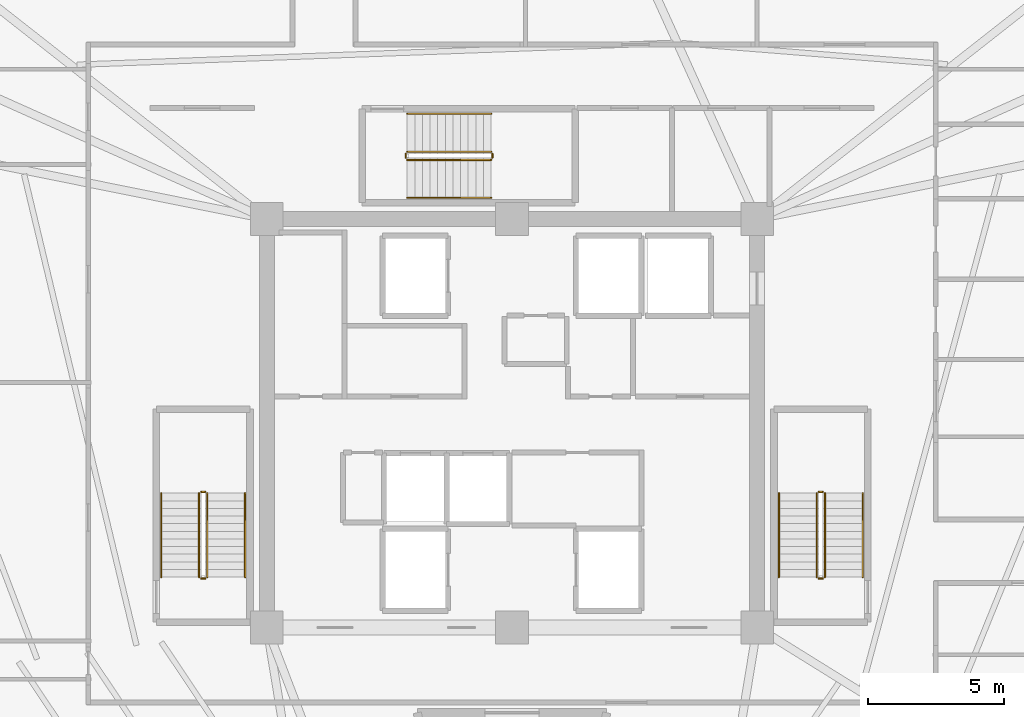
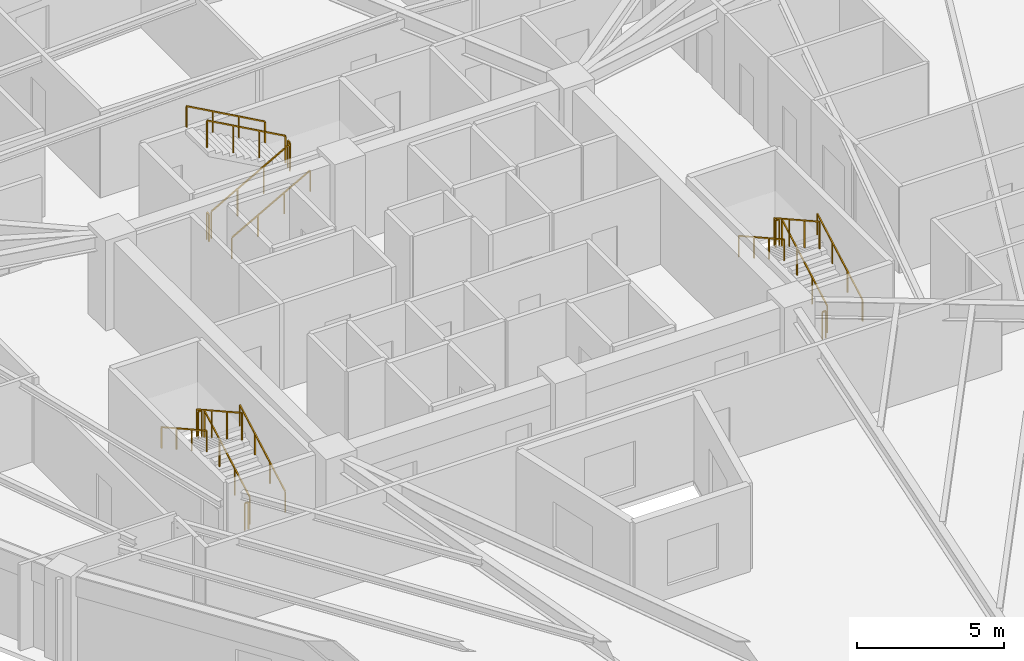
# One storey, part 8 of 8: 18 railings.
"""IFC4 building model written with IfcOpenShell, lengths in metres."""

from ifc_helpers import new_model, si_unit, direction, frame, origin, origin_2d, place, context, subcontext, project, spatial, rectangle, extrude, material, type_object, element, save


model = new_model("IFC4")

# Units and contexts
model_context = context("Model", 3, precision=1e-05, world=origin(), true_north=direction((0.0, 1.0)))
body_context = subcontext(model_context, "Body", "Model", "MODEL_VIEW")
ifc_project = project(units=[si_unit("LENGTHUNIT", "METRE"), si_unit("AREAUNIT", "SQUARE_METRE"), si_unit("VOLUMEUNIT", "CUBIC_METRE"), si_unit("PLANEANGLEUNIT", "RADIAN"), si_unit("MASSUNIT", "GRAM", prefix="KILO")], contexts=[model_context])

# Site, building, storey
site_placement = place(None, origin())
site = spatial("IfcSite", under=ifc_project, at=site_placement, CompositionType="ELEMENT")
building_placement = place(site_placement, origin())
building = spatial("IfcBuilding", under=site, at=building_placement, Name="Liaohun Quay Tower", CompositionType="ELEMENT")
storey_placement = place(building_placement, frame((0.0, 0.0, 301.5)))
storey = spatial("IfcBuildingStorey", under=building, at=storey_placement, Name="L78", CompositionType="ELEMENT", Elevation=301.5)

# Railings
ifc_material_1 = material(Name="Painted tubular steel", Category="steel")
railing_type_1 = type_object("IfcRailingType", Name="RLG-GUARD-STR", PredefinedType="GUARDRAIL", material=ifc_material_1)
railing_1_placement = place(storey_placement, frame((48.81005859375, 48.35009765625, 0.15625)))
element("IfcRailing", 1, at=railing_1_placement, inside=storey, type_object=railing_type_1, Name="L78 ST-1 stair guard 1", PredefinedType="GUARDRAIL", context=body_context, shape_type="SweptSolid", body=[
    extrude(rectangle(XDim=0.048095703125, YDim=0.048095703125, at=origin_2d()), frame((0.0, 0.0, 1.1259765625), z_axis=(0.0, 0.873225103656, 0.487317061414), x_axis=(-1.0, 0.0, 0.0)), (0.0, 0.0, 1.0), 3.52685546875),
    extrude(rectangle(XDim=0.0419921875, YDim=0.0419921875, at=origin_2d()), origin(), (0.0, 0.0, 1.0), 1.101806640625),
    extrude(rectangle(XDim=0.0419921875, YDim=0.0419921875, at=origin_2d()), frame((0.0, 1.026611328125, 0.572998046875)), (0.0, 0.0, 1.0), 1.101806640625),
    extrude(rectangle(XDim=0.0419921875, YDim=0.0419921875, at=origin_2d()), frame((0.0, 2.05322265625, 1.145751953125)), (0.0, 0.0, 1.0), 1.101806640625),
    extrude(rectangle(XDim=0.0419921875, YDim=0.0419921875, at=origin_2d()), frame((0.0, 3.079833984375, 1.71875)), (0.0, 0.0, 1.0), 1.101806640625),
])
railing_2_placement = place(storey_placement, frame((48.72998046875, 51.47998046875, 1.875)))
element("IfcRailing", 2, at=railing_2_placement, inside=storey, type_object=railing_type_1, Name="L78 ST-1 stair guard 2", PredefinedType="GUARDRAIL", context=body_context, shape_type="SweptSolid", body=[
    extrude(rectangle(XDim=0.048095703125, YDim=0.048095703125, at=origin_2d()), frame((0.0, 0.0, 1.1259765625), z_axis=(-1.0, 0.0, 0.0), x_axis=(0.0, -1.0, 0.0)), (0.0, 0.0, 1.0), 0.139892578125),
    extrude(rectangle(XDim=0.0419921875, YDim=0.0419921875, at=origin_2d()), origin(), (0.0, 0.0, 1.0), 1.101806640625),
    extrude(rectangle(XDim=0.0419921875, YDim=0.0419921875, at=origin_2d()), frame((-0.139892578125, 0.0, 0.0)), (0.0, 0.0, 1.0), 1.101806640625),
])
railing_3_placement = place(storey_placement, frame((48.510009765625, 51.429931640625, 2.03125)))
element("IfcRailing", 3, at=railing_3_placement, inside=storey, type_object=railing_type_1, Name="L78 ST-1 stair guard 3", PredefinedType="GUARDRAIL", context=body_context, shape_type="SweptSolid", body=[
    extrude(rectangle(XDim=0.048095703125, YDim=0.048095703125, at=origin_2d()), frame((0.0, 0.0, 1.1259765625), z_axis=(0.0, -0.873225103656, 0.487317061414), x_axis=(1.0, 0.0, 0.0)), (0.0, 0.0, 1.0), 3.52685546875),
    extrude(rectangle(XDim=0.0419921875, YDim=0.0419921875, at=origin_2d()), origin(), (0.0, 0.0, 1.0), 1.101806640625),
    extrude(rectangle(XDim=0.0419921875, YDim=0.0419921875, at=origin_2d()), frame((0.0, -1.026611328125, 0.572998046875)), (0.0, 0.0, 1.0), 1.101806640625),
    extrude(rectangle(XDim=0.0419921875, YDim=0.0419921875, at=origin_2d()), frame((0.0, -2.05322265625, 1.145751953125)), (0.0, 0.0, 1.0), 1.101806640625),
    extrude(rectangle(XDim=0.0419921875, YDim=0.0419921875, at=origin_2d()), frame((0.0, -3.079833984375, 1.71875)), (0.0, 0.0, 1.0), 1.101806640625),
])
railing_4_placement = place(storey_placement, frame((48.72998046875, 48.300048828125, 0.0)))
element("IfcRailing", 4, at=railing_4_placement, inside=storey, type_object=railing_type_1, Name="L78 ST-1 stair guard 4", PredefinedType="GUARDRAIL", context=body_context, shape_type="SweptSolid", body=[
    extrude(rectangle(XDim=0.048095703125, YDim=0.048095703125, at=origin_2d()), frame((0.0, 0.0, 1.1259765625), z_axis=(-1.0, 0.0, 0.0), x_axis=(0.0, -1.0, 0.0)), (0.0, 0.0, 1.0), 0.139892578125),
    extrude(rectangle(XDim=0.0419921875, YDim=0.0419921875, at=origin_2d()), origin(), (0.0, 0.0, 1.0), 1.101806640625),
    extrude(rectangle(XDim=0.0419921875, YDim=0.0419921875, at=origin_2d()), frame((-0.139892578125, 0.0, 0.0)), (0.0, 0.0, 1.0), 1.101806640625),
])
railing_5_placement = place(storey_placement, frame((71.489990234375, 48.35009765625, 0.15625)))
element("IfcRailing", 5, at=railing_5_placement, inside=storey, type_object=railing_type_1, Name="L78 ST-2 stair guard 1", PredefinedType="GUARDRAIL", context=body_context, shape_type="SweptSolid", body=[
    extrude(rectangle(XDim=0.048095703125, YDim=0.048095703125, at=origin_2d()), frame((0.0, 0.0, 1.1259765625), z_axis=(0.0, 0.873225103656, 0.487317061414), x_axis=(-1.0, 0.0, 0.0)), (0.0, 0.0, 1.0), 3.52685546875),
    extrude(rectangle(XDim=0.0419921875, YDim=0.0419921875, at=origin_2d()), origin(), (0.0, 0.0, 1.0), 1.101806640625),
    extrude(rectangle(XDim=0.0419921875, YDim=0.0419921875, at=origin_2d()), frame((0.0, 1.026611328125, 0.572998046875)), (0.0, 0.0, 1.0), 1.101806640625),
    extrude(rectangle(XDim=0.0419921875, YDim=0.0419921875, at=origin_2d()), frame((0.0, 2.05322265625, 1.145751953125)), (0.0, 0.0, 1.0), 1.101806640625),
    extrude(rectangle(XDim=0.0419921875, YDim=0.0419921875, at=origin_2d()), frame((0.0, 3.079833984375, 1.71875)), (0.0, 0.0, 1.0), 1.101806640625),
])
railing_6_placement = place(storey_placement, frame((71.409912109375, 51.47998046875, 1.875)))
element("IfcRailing", 6, at=railing_6_placement, inside=storey, type_object=railing_type_1, Name="L78 ST-2 stair guard 2", PredefinedType="GUARDRAIL", context=body_context, shape_type="SweptSolid", body=[
    extrude(rectangle(XDim=0.048095703125, YDim=0.048095703125, at=origin_2d()), frame((0.0, 0.0, 1.1259765625), z_axis=(-1.0, 0.0, 0.0), x_axis=(0.0, -1.0, 0.0)), (0.0, 0.0, 1.0), 0.139892578125),
    extrude(rectangle(XDim=0.0419921875, YDim=0.0419921875, at=origin_2d()), origin(), (0.0, 0.0, 1.0), 1.101806640625),
    extrude(rectangle(XDim=0.0419921875, YDim=0.0419921875, at=origin_2d()), frame((-0.139892578125, 0.0, 0.0)), (0.0, 0.0, 1.0), 1.101806640625),
])
railing_7_placement = place(storey_placement, frame((71.18994140625, 51.429931640625, 2.03125)))
element("IfcRailing", 7, at=railing_7_placement, inside=storey, type_object=railing_type_1, Name="L78 ST-2 stair guard 3", PredefinedType="GUARDRAIL", context=body_context, shape_type="SweptSolid", body=[
    extrude(rectangle(XDim=0.048095703125, YDim=0.048095703125, at=origin_2d()), frame((0.0, 0.0, 1.1259765625), z_axis=(0.0, -0.873225103656, 0.487317061414), x_axis=(1.0, 0.0, 0.0)), (0.0, 0.0, 1.0), 3.52685546875),
    extrude(rectangle(XDim=0.0419921875, YDim=0.0419921875, at=origin_2d()), origin(), (0.0, 0.0, 1.0), 1.101806640625),
    extrude(rectangle(XDim=0.0419921875, YDim=0.0419921875, at=origin_2d()), frame((0.0, -1.026611328125, 0.572998046875)), (0.0, 0.0, 1.0), 1.101806640625),
    extrude(rectangle(XDim=0.0419921875, YDim=0.0419921875, at=origin_2d()), frame((0.0, -2.05322265625, 1.145751953125)), (0.0, 0.0, 1.0), 1.101806640625),
    extrude(rectangle(XDim=0.0419921875, YDim=0.0419921875, at=origin_2d()), frame((0.0, -3.079833984375, 1.71875)), (0.0, 0.0, 1.0), 1.101806640625),
])
railing_8_placement = place(storey_placement, frame((71.409912109375, 48.300048828125, 0.0)))
element("IfcRailing", 8, at=railing_8_placement, inside=storey, type_object=railing_type_1, Name="L78 ST-2 stair guard 4", PredefinedType="GUARDRAIL", context=body_context, shape_type="SweptSolid", body=[
    extrude(rectangle(XDim=0.048095703125, YDim=0.048095703125, at=origin_2d()), frame((0.0, 0.0, 1.1259765625), z_axis=(-1.0, 0.0, 0.0), x_axis=(0.0, -1.0, 0.0)), (0.0, 0.0, 1.0), 0.139892578125),
    extrude(rectangle(XDim=0.0419921875, YDim=0.0419921875, at=origin_2d()), origin(), (0.0, 0.0, 1.0), 1.101806640625),
    extrude(rectangle(XDim=0.0419921875, YDim=0.0419921875, at=origin_2d()), frame((-0.139892578125, 0.0, 0.0)), (0.0, 0.0, 1.0), 1.101806640625),
])
railing_9_placement = place(storey_placement, frame((56.14990234375, 63.669921875, 0.15625)))
element("IfcRailing", 9, at=railing_9_placement, inside=storey, type_object=railing_type_1, Name="L78 ST-3 stair guard 1", PredefinedType="GUARDRAIL", context=body_context, shape_type="SweptSolid", body=[
    extrude(rectangle(XDim=0.048095703125, YDim=0.048095703125, at=origin_2d()), frame((0.0, 0.0, 1.1259765625), z_axis=(0.873241540666, 0.0, 0.487287606713), x_axis=(0.0, 1.0, 0.0)), (0.0, 0.0, 1.0), 3.527099609375),
    extrude(rectangle(XDim=0.0419921875, YDim=0.0419921875, at=origin_2d()), origin(), (0.0, 0.0, 1.0), 1.101806640625),
    extrude(rectangle(XDim=0.0419921875, YDim=0.0419921875, at=origin_2d()), frame((1.026611328125, 0.0, 0.572998046875)), (0.0, 0.0, 1.0), 1.101806640625),
    extrude(rectangle(XDim=0.0419921875, YDim=0.0419921875, at=origin_2d()), frame((2.053466796875, 0.0, 1.145751953125)), (0.0, 0.0, 1.0), 1.101806640625),
    extrude(rectangle(XDim=0.0419921875, YDim=0.0419921875, at=origin_2d()), frame((3.080078125, 0.0, 1.71875)), (0.0, 0.0, 1.0), 1.101806640625),
])
railing_10_placement = place(storey_placement, frame((59.280029296875, 63.75, 1.875)))
element("IfcRailing", 10, at=railing_10_placement, inside=storey, type_object=railing_type_1, Name="L78 ST-3 stair guard 2", PredefinedType="GUARDRAIL", context=body_context, shape_type="SweptSolid", body=[
    extrude(rectangle(XDim=0.048095703125, YDim=0.048095703125, at=origin_2d()), frame((0.0, 0.0, 1.1259765625), z_axis=(0.0, 1.0, 0.0), x_axis=(-1.0, 0.0, 0.0)), (0.0, 0.0, 1.0), 0.139892578125),
    extrude(rectangle(XDim=0.0419921875, YDim=0.0419921875, at=origin_2d()), origin(), (0.0, 0.0, 1.0), 1.101806640625),
    extrude(rectangle(XDim=0.0419921875, YDim=0.0419921875, at=origin_2d()), frame((0.0, 0.139892578125, 0.0)), (0.0, 0.0, 1.0), 1.101806640625),
])
railing_11_placement = place(storey_placement, frame((59.22998046875, 63.969970703125, 2.03125)))
element("IfcRailing", 11, at=railing_11_placement, inside=storey, type_object=railing_type_1, Name="L78 ST-3 stair guard 3", PredefinedType="GUARDRAIL", context=body_context, shape_type="SweptSolid", body=[
    extrude(rectangle(XDim=0.048095703125, YDim=0.048095703125, at=origin_2d()), frame((0.0, 0.0, 1.1259765625), z_axis=(-0.873241540666, 0.0, 0.487287606713), x_axis=(0.0, -1.0, 0.0)), (0.0, 0.0, 1.0), 3.527099609375),
    extrude(rectangle(XDim=0.0419921875, YDim=0.0419921875, at=origin_2d()), origin(), (0.0, 0.0, 1.0), 1.101806640625),
    extrude(rectangle(XDim=0.0419921875, YDim=0.0419921875, at=origin_2d()), frame((-1.026611328125, 0.0, 0.572998046875)), (0.0, 0.0, 1.0), 1.101806640625),
    extrude(rectangle(XDim=0.0419921875, YDim=0.0419921875, at=origin_2d()), frame((-2.053466796875, 0.0, 1.145751953125)), (0.0, 0.0, 1.0), 1.101806640625),
    extrude(rectangle(XDim=0.0419921875, YDim=0.0419921875, at=origin_2d()), frame((-3.080078125, 0.0, 1.71875)), (0.0, 0.0, 1.0), 1.101806640625),
])
railing_12_placement = place(storey_placement, frame((56.10009765625, 63.75, 0.0)))
element("IfcRailing", 12, at=railing_12_placement, inside=storey, type_object=railing_type_1, Name="L78 ST-3 stair guard 4", PredefinedType="GUARDRAIL", context=body_context, shape_type="SweptSolid", body=[
    extrude(rectangle(XDim=0.048095703125, YDim=0.048095703125, at=origin_2d()), frame((0.0, 0.0, 1.1259765625), z_axis=(0.0, 1.0, 0.0), x_axis=(-1.0, 0.0, 0.0)), (0.0, 0.0, 1.0), 0.139892578125),
    extrude(rectangle(XDim=0.0419921875, YDim=0.0419921875, at=origin_2d()), origin(), (0.0, 0.0, 1.0), 1.101806640625),
    extrude(rectangle(XDim=0.0419921875, YDim=0.0419921875, at=origin_2d()), frame((0.0, 0.139892578125, 0.0)), (0.0, 0.0, 1.0), 1.101806640625),
])
ifc_material_2 = material(Name="Brushed stainless steel", Category="steel")
railing_type_2 = type_object("IfcRailingType", Name="RLG-HND-STR", PredefinedType="HANDRAIL", material=ifc_material_2)
railing_13_placement = place(storey_placement, frame((50.199951171875, 48.35009765625, 0.15625)))
element("IfcRailing", 13, at=railing_13_placement, inside=storey, type_object=railing_type_2, Name="L78 ST-1 stair handrail 1", PredefinedType="HANDRAIL", context=body_context, shape_type="SweptSolid", body=[
    extrude(rectangle(XDim=0.048095703125, YDim=0.048095703125, at=origin_2d()), frame((0.0, 0.0, 0.8759765625), z_axis=(0.0, 0.873225103656, 0.487317061414), x_axis=(-1.0, 0.0, 0.0)), (0.0, 0.0, 1.0), 3.52685546875),
    extrude(rectangle(XDim=0.0419921875, YDim=0.0419921875, at=origin_2d()), origin(), (0.0, 0.0, 1.0), 0.851806640625),
    extrude(rectangle(XDim=0.0419921875, YDim=0.0419921875, at=origin_2d()), frame((0.0, 1.026611328125, 0.572998046875)), (0.0, 0.0, 1.0), 0.851806640625),
    extrude(rectangle(XDim=0.0419921875, YDim=0.0419921875, at=origin_2d()), frame((0.0, 2.05322265625, 1.145751953125)), (0.0, 0.0, 1.0), 0.851806640625),
    extrude(rectangle(XDim=0.0419921875, YDim=0.0419921875, at=origin_2d()), frame((0.0, 3.079833984375, 1.71875)), (0.0, 0.0, 1.0), 0.851806640625),
])
railing_14_placement = place(storey_placement, frame((47.1201171875, 51.429931640625, 2.03125)))
element("IfcRailing", 14, at=railing_14_placement, inside=storey, type_object=railing_type_2, Name="L78 ST-1 stair handrail 2", PredefinedType="HANDRAIL", context=body_context, shape_type="SweptSolid", body=[
    extrude(rectangle(XDim=0.048095703125, YDim=0.048095703125, at=origin_2d()), frame((0.0, 0.0, 0.8759765625), z_axis=(0.0, -0.873225103656, 0.487317061414), x_axis=(1.0, 0.0, 0.0)), (0.0, 0.0, 1.0), 3.52685546875),
    extrude(rectangle(XDim=0.0419921875, YDim=0.0419921875, at=origin_2d()), origin(), (0.0, 0.0, 1.0), 0.851806640625),
    extrude(rectangle(XDim=0.0419921875, YDim=0.0419921875, at=origin_2d()), frame((0.0, -1.026611328125, 0.572998046875)), (0.0, 0.0, 1.0), 0.851806640625),
    extrude(rectangle(XDim=0.0419921875, YDim=0.0419921875, at=origin_2d()), frame((0.0, -2.05322265625, 1.145751953125)), (0.0, 0.0, 1.0), 0.851806640625),
    extrude(rectangle(XDim=0.0419921875, YDim=0.0419921875, at=origin_2d()), frame((0.0, -3.079833984375, 1.71875)), (0.0, 0.0, 1.0), 0.851806640625),
])
railing_15_placement = place(storey_placement, frame((72.8798828125, 48.35009765625, 0.15625)))
element("IfcRailing", 15, at=railing_15_placement, inside=storey, type_object=railing_type_2, Name="L78 ST-2 stair handrail 1", PredefinedType="HANDRAIL", context=body_context, shape_type="SweptSolid", body=[
    extrude(rectangle(XDim=0.048095703125, YDim=0.048095703125, at=origin_2d()), frame((0.0, 0.0, 0.8759765625), z_axis=(0.0, 0.873225103656, 0.487317061414), x_axis=(-1.0, 0.0, 0.0)), (0.0, 0.0, 1.0), 3.52685546875),
    extrude(rectangle(XDim=0.0419921875, YDim=0.0419921875, at=origin_2d()), origin(), (0.0, 0.0, 1.0), 0.851806640625),
    extrude(rectangle(XDim=0.0419921875, YDim=0.0419921875, at=origin_2d()), frame((0.0, 1.026611328125, 0.572998046875)), (0.0, 0.0, 1.0), 0.851806640625),
    extrude(rectangle(XDim=0.0419921875, YDim=0.0419921875, at=origin_2d()), frame((0.0, 2.05322265625, 1.145751953125)), (0.0, 0.0, 1.0), 0.851806640625),
    extrude(rectangle(XDim=0.0419921875, YDim=0.0419921875, at=origin_2d()), frame((0.0, 3.079833984375, 1.71875)), (0.0, 0.0, 1.0), 0.851806640625),
])
railing_16_placement = place(storey_placement, frame((69.800048828125, 51.429931640625, 2.03125)))
element("IfcRailing", 16, at=railing_16_placement, inside=storey, type_object=railing_type_2, Name="L78 ST-2 stair handrail 2", PredefinedType="HANDRAIL", context=body_context, shape_type="SweptSolid", body=[
    extrude(rectangle(XDim=0.048095703125, YDim=0.048095703125, at=origin_2d()), frame((0.0, 0.0, 0.8759765625), z_axis=(0.0, -0.873225103656, 0.487317061414), x_axis=(1.0, 0.0, 0.0)), (0.0, 0.0, 1.0), 3.52685546875),
    extrude(rectangle(XDim=0.0419921875, YDim=0.0419921875, at=origin_2d()), origin(), (0.0, 0.0, 1.0), 0.851806640625),
    extrude(rectangle(XDim=0.0419921875, YDim=0.0419921875, at=origin_2d()), frame((0.0, -1.026611328125, 0.572998046875)), (0.0, 0.0, 1.0), 0.851806640625),
    extrude(rectangle(XDim=0.0419921875, YDim=0.0419921875, at=origin_2d()), frame((0.0, -2.05322265625, 1.145751953125)), (0.0, 0.0, 1.0), 0.851806640625),
    extrude(rectangle(XDim=0.0419921875, YDim=0.0419921875, at=origin_2d()), frame((0.0, -3.079833984375, 1.71875)), (0.0, 0.0, 1.0), 0.851806640625),
])
railing_17_placement = place(storey_placement, frame((56.14990234375, 62.280029296875, 0.15625)))
element("IfcRailing", 17, at=railing_17_placement, inside=storey, type_object=railing_type_2, Name="L78 ST-3 stair handrail 1", PredefinedType="HANDRAIL", context=body_context, shape_type="SweptSolid", body=[
    extrude(rectangle(XDim=0.048095703125, YDim=0.048095703125, at=origin_2d()), frame((0.0, 0.0, 0.8759765625), z_axis=(0.873241540666, 0.0, 0.487287606713), x_axis=(0.0, 1.0, 0.0)), (0.0, 0.0, 1.0), 3.527099609375),
    extrude(rectangle(XDim=0.0419921875, YDim=0.0419921875, at=origin_2d()), origin(), (0.0, 0.0, 1.0), 0.851806640625),
    extrude(rectangle(XDim=0.0419921875, YDim=0.0419921875, at=origin_2d()), frame((1.026611328125, 0.0, 0.572998046875)), (0.0, 0.0, 1.0), 0.851806640625),
    extrude(rectangle(XDim=0.0419921875, YDim=0.0419921875, at=origin_2d()), frame((2.053466796875, 0.0, 1.145751953125)), (0.0, 0.0, 1.0), 0.851806640625),
    extrude(rectangle(XDim=0.0419921875, YDim=0.0419921875, at=origin_2d()), frame((3.080078125, 0.0, 1.71875)), (0.0, 0.0, 1.0), 0.851806640625),
])
railing_18_placement = place(storey_placement, frame((59.22998046875, 65.360107421875, 2.03125)))
element("IfcRailing", 18, at=railing_18_placement, inside=storey, type_object=railing_type_2, Name="L78 ST-3 stair handrail 2", PredefinedType="HANDRAIL", context=body_context, shape_type="SweptSolid", body=[
    extrude(rectangle(XDim=0.048095703125, YDim=0.048095703125, at=origin_2d()), frame((0.0, 0.0, 0.8759765625), z_axis=(-0.873241540666, 0.0, 0.487287606713), x_axis=(0.0, -1.0, 0.0)), (0.0, 0.0, 1.0), 3.527099609375),
    extrude(rectangle(XDim=0.0419921875, YDim=0.0419921875, at=origin_2d()), origin(), (0.0, 0.0, 1.0), 0.851806640625),
    extrude(rectangle(XDim=0.0419921875, YDim=0.0419921875, at=origin_2d()), frame((-1.026611328125, 0.0, 0.572998046875)), (0.0, 0.0, 1.0), 0.851806640625),
    extrude(rectangle(XDim=0.0419921875, YDim=0.0419921875, at=origin_2d()), frame((-2.053466796875, 0.0, 1.145751953125)), (0.0, 0.0, 1.0), 0.851806640625),
    extrude(rectangle(XDim=0.0419921875, YDim=0.0419921875, at=origin_2d()), frame((-3.080078125, 0.0, 1.71875)), (0.0, 0.0, 1.0), 0.851806640625),
])

save(model, "model.ifc")
